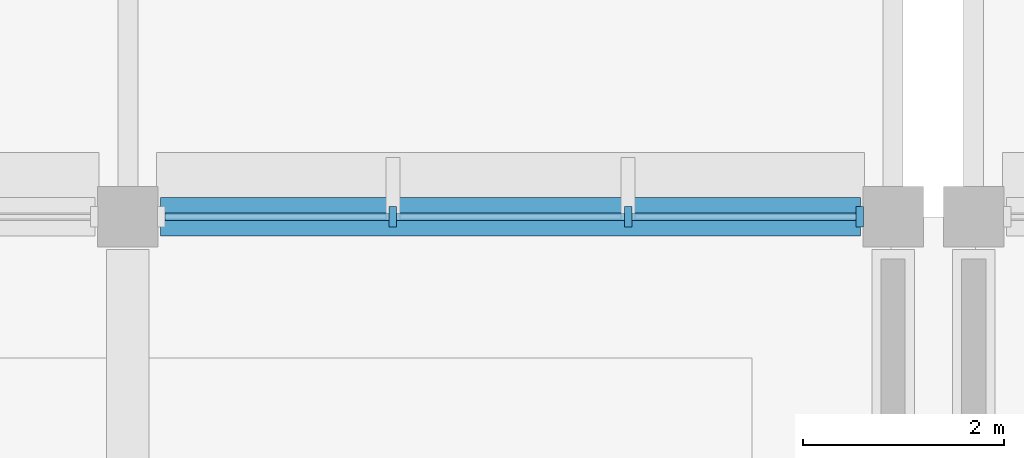
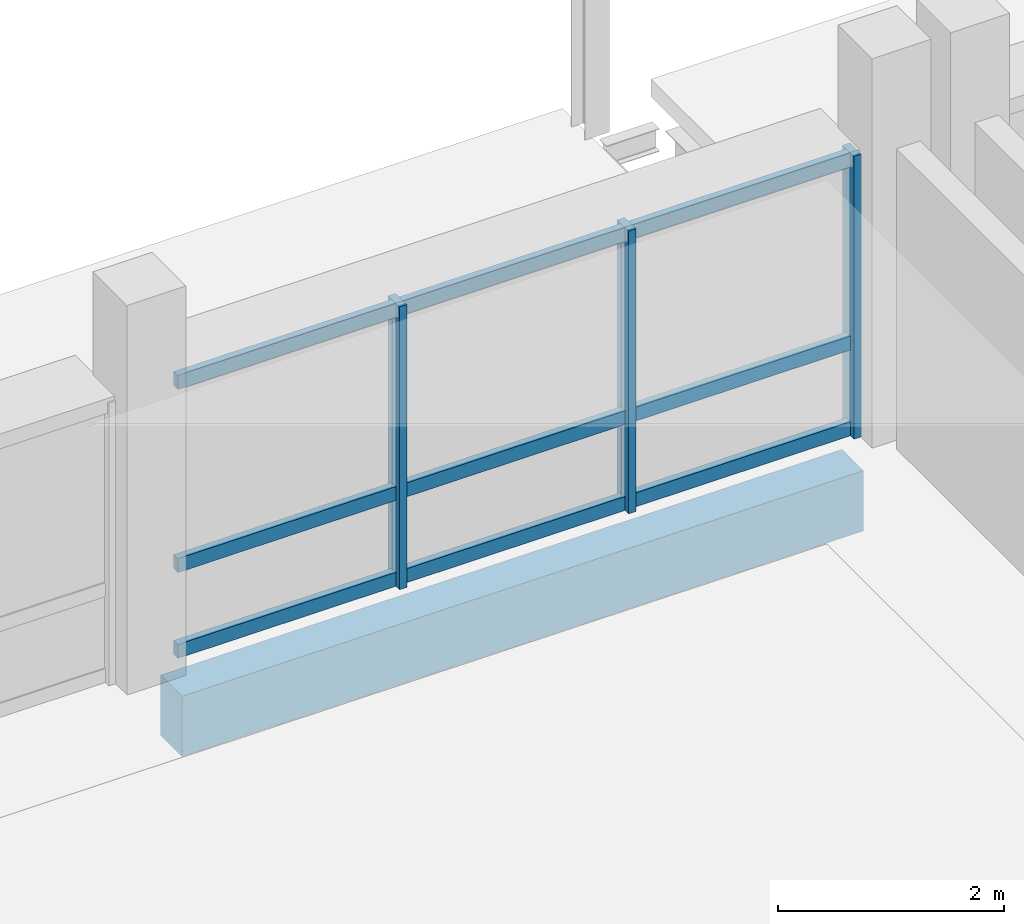
# One storey, part 23 of 57: 12 members, 1 beam, 1 element without a shape of its own.
"""IFC4 building model written with IfcOpenShell, lengths in metres."""

from ifc_helpers import new_model, si_unit, direction, frame, origin, origin_2d, place, context, subcontext, project, spatial, rectangle, extrude, material, material_profile, profile_set, type_object, element, aggregate, save


model = new_model("IFC4")

# Units and contexts
model_context = context("Model", 3, precision=1e-05, world=origin(), true_north=direction((0.0, 1.0)))
body_context = subcontext(model_context, "Body", "Model", "MODEL_VIEW")
ifc_project = project(units=[si_unit("LENGTHUNIT", "METRE"), si_unit("AREAUNIT", "SQUARE_METRE"), si_unit("VOLUMEUNIT", "CUBIC_METRE"), si_unit("PLANEANGLEUNIT", "RADIAN"), si_unit("MASSUNIT", "GRAM", prefix="KILO"), si_unit("THERMODYNAMICTEMPERATUREUNIT", "KELVIN"), si_unit("POWERUNIT", "WATT")], contexts=[model_context])

# Site, building, storey
site_placement = place(None, origin())
site = spatial("IfcSite", under=ifc_project, at=site_placement, CompositionType="ELEMENT")
building_placement = place(site_placement, origin())
building = spatial("IfcBuilding", under=site, at=building_placement, Name="Kronsvod Quay Wholesale Market", CompositionType="ELEMENT")
storey_placement = place(building_placement, frame((0.0, 0.0, 4.800048828125)))
storey = spatial("IfcBuildingStorey", under=building, at=storey_placement, Name="L01", CompositionType="ELEMENT", Elevation=4.800048828125)

# Curtain wall, members
ifc_material_1 = material(Name="Thermally broken aluminium and triple low-E glazing", Category="aluminium")
curtain_wall_type = type_object("IfcCurtainWallType", Name="CW_Harbour76x33", PredefinedType="NOTDEFINED", material=ifc_material_1)
curtain_wall_placement = place(storey_placement, origin())
curtain_wall = element("IfcCurtainWall", 1, at=curtain_wall_placement, inside=storey, type_object=curtain_wall_type, Name="CWGX-L01-1200-1260", PredefinedType="NOTDEFINED")
ifc_material_2 = material(Name="Anodised aluminium", Category="aluminium")
ifc_material_profile_1 = material_profile(ifc_material_2, rectangle(XDim=0.074951171875, YDim=0.199951171875, at=origin_2d()), Name="ALUM75x200")
ifc_profile_set_1 = profile_set([ifc_material_profile_1], Name="Anodised aluminium")
member_type_1 = type_object("IfcMemberType", Name="Mullion_ALU75x200", PredefinedType="MULLION", material=ifc_profile_set_1)
member_1_placement = place(storey_placement, frame((127.267578125, 126.0, 0.0), z_axis=(0.0, 0.0, 1.0), x_axis=(1.0, 0.0, 0.0)))
member_1 = element("IfcMember", 2, at=member_1_placement, type_object=member_type_1, Name="CWGX-L01-1200-1260-M1", PredefinedType="MULLION", context=body_context, shape_type="SweptSolid", body=[
    extrude(rectangle(XDim=0.074951171875, YDim=0.199951171875, at=origin_2d()), origin(), (0.0, 0.0, 1.0), 3.050048828125),
])
member_2_placement = place(storey_placement, frame((124.96826171875, 126.0, 0.0), z_axis=(0.0, 0.0, 1.0), x_axis=(1.0, 0.0, 0.0)))
member_2 = element("IfcMember", 3, at=member_2_placement, type_object=member_type_1, Name="CWGX-L01-1200-1260-M2", PredefinedType="MULLION", context=body_context, shape_type="SweptSolid", body=[
    extrude(rectangle(XDim=0.074951171875, YDim=0.199951171875, at=origin_2d()), origin(), (0.0, 0.0, 1.0), 3.050048828125),
])
member_3_placement = place(storey_placement, frame((122.631591796875, 126.0, 0.0), z_axis=(0.0, 0.0, 1.0), x_axis=(1.0, 0.0, 0.0)))
member_3 = element("IfcMember", 4, at=member_3_placement, type_object=member_type_1, Name="CWGX-L01-1200-1260-M3", PredefinedType="MULLION", context=body_context, shape_type="SweptSolid", body=[
    extrude(rectangle(XDim=0.074951171875, YDim=0.199951171875, at=origin_2d()), origin(), (0.0, 0.0, 1.0), 3.050048828125),
])

# Beam
ifc_material_3 = material(Name="Precast concrete C40/50", Category="concrete")
ifc_material_profile_2 = material_profile(ifc_material_3, rectangle(XDim=0.3798828125, YDim=0.64990234375, at=origin_2d()), Name="SPB-03")
ifc_profile_set_2 = profile_set([ifc_material_profile_2], Name="Precast concrete C40/50")
beam_type = type_object("IfcBeamType", Name="Spandrel_PCSP380x650", PredefinedType="SPANDREL", material=ifc_profile_set_2)
beam_placement = place(storey_placement, frame((120.324951171875, 126.0, -0.625), z_axis=(1.0, 0.0, 0.0), x_axis=(0.0, 1.0, 0.0)))
element("IfcBeam", 5, at=beam_placement, inside=storey, type_object=beam_type, Name="BMX-L01-1200-1260", PredefinedType="SPANDREL", context=body_context, shape_type="SweptSolid", body=[
    extrude(rectangle(XDim=0.3798828125, YDim=0.64990234375, at=origin_2d()), origin(), (0.0, 0.0, 1.0), 6.949951171875),
])

# Member
ifc_material_4 = material(Name="Anodised aluminium", Category="aluminium")
ifc_material_profile_3 = material_profile(ifc_material_4, rectangle(XDim=0.074951171875, YDim=0.14990234375, at=origin_2d()), Name="ALUT75x150")
ifc_profile_set_3 = profile_set([ifc_material_profile_3], Name="Anodised aluminium")
member_type_2 = type_object("IfcMemberType", Name="Transom_ALU75x150", PredefinedType="USERDEFINED", material=ifc_profile_set_3)
member_4_placement = place(storey_placement, frame((127.22998046875, 126.0, 0.074951171875), z_axis=(-1.0, 0.0, 0.0), x_axis=(0.0, -1.0, 0.0)))
member_4 = element("IfcMember", 6, at=member_4_placement, type_object=member_type_2, Name="CWGX-L01-1200-1260-T1B1", ObjectType="TRANSOM", PredefinedType="USERDEFINED", context=body_context, shape_type="SweptSolid", body=[
    extrude(rectangle(XDim=0.074951171875, YDim=0.14990234375, at=origin_2d()), origin(), (0.0, 0.0, 1.0), 2.22412109375),
])

member_5_placement = place(storey_placement, frame((124.930908203125, 126.0, 0.074951171875), z_axis=(-1.0, 0.0, 0.0), x_axis=(0.0, -1.0, 0.0)))
member_5 = element("IfcMember", 7, at=member_5_placement, type_object=member_type_2, Name="CWGX-L01-1200-1260-T1B2", ObjectType="TRANSOM", PredefinedType="USERDEFINED", context=body_context, shape_type="SweptSolid", body=[
    extrude(rectangle(XDim=0.074951171875, YDim=0.14990234375, at=origin_2d()), origin(), (0.0, 0.0, 1.0), 2.26171875),
])

member_6_placement = place(storey_placement, frame((122.59423828125, 126.0, 0.074951171875), z_axis=(-1.0, 0.0, 0.0), x_axis=(0.0, -1.0, 0.0)))
member_6 = element("IfcMember", 8, at=member_6_placement, type_object=member_type_2, Name="CWGX-L01-1200-1260-T1B3", ObjectType="TRANSOM", PredefinedType="USERDEFINED", context=body_context, shape_type="SweptSolid", body=[
    extrude(rectangle(XDim=0.074951171875, YDim=0.14990234375, at=origin_2d()), origin(), (0.0, 0.0, 1.0), 2.22412109375),
])

member_7_placement = place(storey_placement, frame((127.22998046875, 126.0, 1.0), z_axis=(-1.0, 0.0, 0.0), x_axis=(0.0, -1.0, 0.0)))
member_7 = element("IfcMember", 9, at=member_7_placement, type_object=member_type_2, Name="CWGX-L01-1200-1260-T2B1", ObjectType="TRANSOM", PredefinedType="USERDEFINED", context=body_context, shape_type="SweptSolid", body=[
    extrude(rectangle(XDim=0.074951171875, YDim=0.14990234375, at=origin_2d()), origin(), (0.0, 0.0, 1.0), 2.22412109375),
])

member_8_placement = place(storey_placement, frame((124.930908203125, 126.0, 1.0), z_axis=(-1.0, 0.0, 0.0), x_axis=(0.0, -1.0, 0.0)))
member_8 = element("IfcMember", 10, at=member_8_placement, type_object=member_type_2, Name="CWGX-L01-1200-1260-T2B2", ObjectType="TRANSOM", PredefinedType="USERDEFINED", context=body_context, shape_type="SweptSolid", body=[
    extrude(rectangle(XDim=0.074951171875, YDim=0.14990234375, at=origin_2d()), origin(), (0.0, 0.0, 1.0), 2.26171875),
])

member_9_placement = place(storey_placement, frame((122.59423828125, 126.0, 1.0), z_axis=(-1.0, 0.0, 0.0), x_axis=(0.0, -1.0, 0.0)))
member_9 = element("IfcMember", 11, at=member_9_placement, type_object=member_type_2, Name="CWGX-L01-1200-1260-T2B3", ObjectType="TRANSOM", PredefinedType="USERDEFINED", context=body_context, shape_type="SweptSolid", body=[
    extrude(rectangle(XDim=0.074951171875, YDim=0.14990234375, at=origin_2d()), origin(), (0.0, 0.0, 1.0), 2.22412109375),
])

member_10_placement = place(storey_placement, frame((127.22998046875, 126.0, 2.974853515625), z_axis=(-1.0, 0.0, 0.0), x_axis=(0.0, -1.0, 0.0)))
member_10 = element("IfcMember", 12, at=member_10_placement, type_object=member_type_2, Name="CWGX-L01-1200-1260-T3B1", ObjectType="TRANSOM", PredefinedType="USERDEFINED", context=body_context, shape_type="SweptSolid", body=[
    extrude(rectangle(XDim=0.074951171875, YDim=0.14990234375, at=origin_2d()), origin(), (0.0, 0.0, 1.0), 2.22412109375),
])

member_11_placement = place(storey_placement, frame((124.930908203125, 126.0, 2.974853515625), z_axis=(-1.0, 0.0, 0.0), x_axis=(0.0, -1.0, 0.0)))
member_11 = element("IfcMember", 13, at=member_11_placement, type_object=member_type_2, Name="CWGX-L01-1200-1260-T3B2", ObjectType="TRANSOM", PredefinedType="USERDEFINED", context=body_context, shape_type="SweptSolid", body=[
    extrude(rectangle(XDim=0.074951171875, YDim=0.14990234375, at=origin_2d()), origin(), (0.0, 0.0, 1.0), 2.26171875),
])

member_12_placement = place(storey_placement, frame((122.59423828125, 126.0, 2.974853515625), z_axis=(-1.0, 0.0, 0.0), x_axis=(0.0, -1.0, 0.0)))
member_12 = element("IfcMember", 14, at=member_12_placement, type_object=member_type_2, Name="CWGX-L01-1200-1260-T3B3", ObjectType="TRANSOM", PredefinedType="USERDEFINED", context=body_context, shape_type="SweptSolid", body=[
    extrude(rectangle(XDim=0.074951171875, YDim=0.14990234375, at=origin_2d()), origin(), (0.0, 0.0, 1.0), 2.22412109375),
])

aggregate(curtain_wall, [member_1, member_2, member_3, member_4, member_5, member_6, member_7, member_8, member_9, member_10, member_11, member_12])

save(model, "model.ifc")
